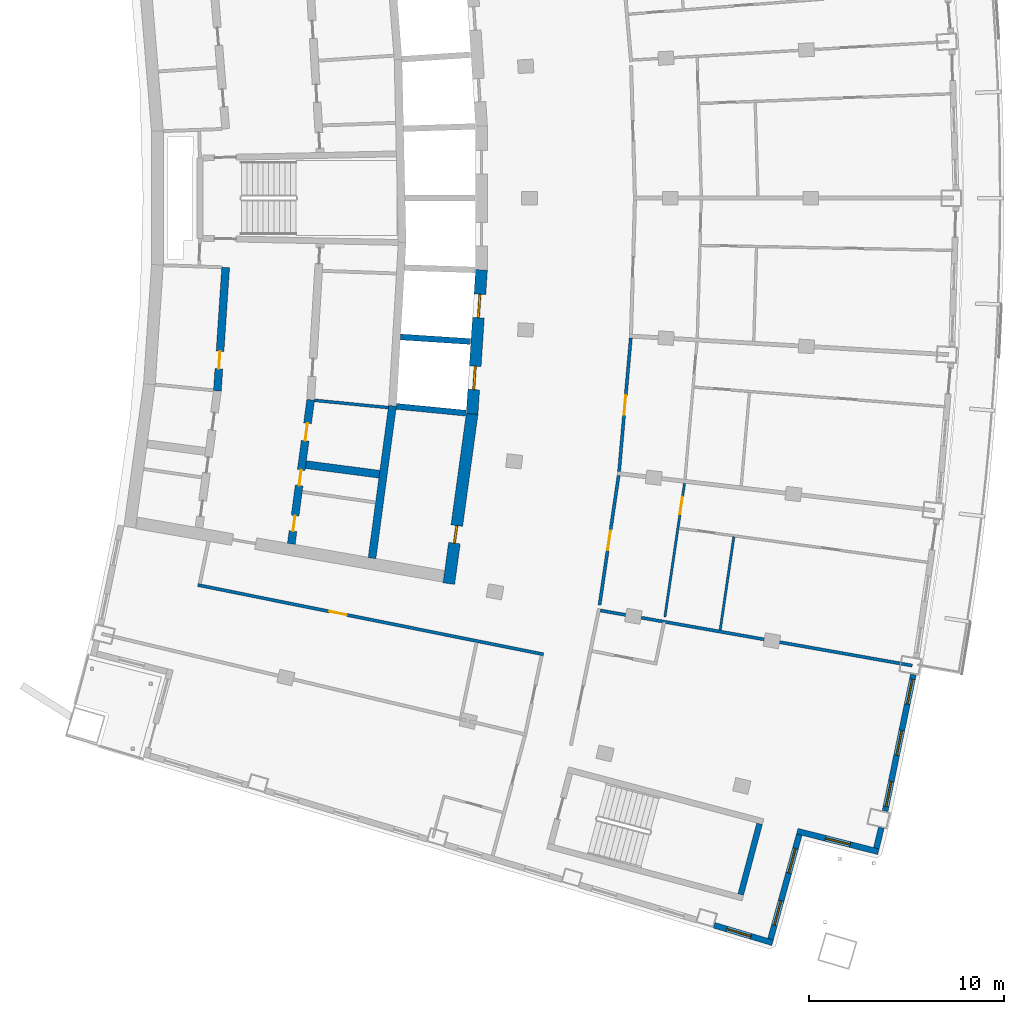
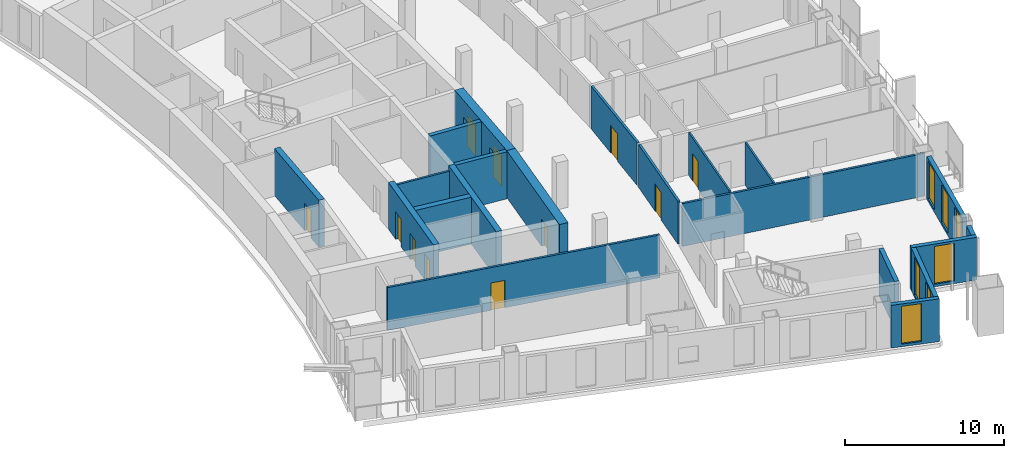
# One storey, part 10 of 18: 21 walls, 11 doors, 7 windows, 18 openings.
"""IFC4 building model written with IfcOpenShell, lengths in metres."""

from ifc_helpers import new_model, si_unit, direction, frame, frame_2d, origin, place, context, subcontext, project, spatial, rectangle, extrude, material, layer, layer_set, type_object, element, fill, save


model = new_model("IFC4")

# Units and contexts
model_context = context("Model", 3, precision=1e-05, world=origin(), true_north=direction((0.0, 1.0)))
body_context = subcontext(model_context, "Body", "Model", "MODEL_VIEW")
ifc_project = project(units=[si_unit("LENGTHUNIT", "METRE"), si_unit("AREAUNIT", "SQUARE_METRE"), si_unit("VOLUMEUNIT", "CUBIC_METRE"), si_unit("PLANEANGLEUNIT", "RADIAN"), si_unit("MASSUNIT", "GRAM", prefix="KILO")], contexts=[model_context])

# Site, building, storey
site_placement = place(None, origin())
site = spatial("IfcSite", under=ifc_project, at=site_placement, CompositionType="ELEMENT")
building_placement = place(site_placement, origin())
building = spatial("IfcBuilding", under=site, at=building_placement, Name="Alderwake Tower", CompositionType="ELEMENT")
storey_placement = place(building_placement, frame((0.0, 0.0, 225.199951171875)))
storey = spatial("IfcBuildingStorey", under=building, at=storey_placement, Name="L56", CompositionType="ELEMENT", Elevation=225.199951171875)

# Wall
ifc_material_1 = material(Name="Gypsum shaft wall system, rated")
ifc_layer_1 = layer(ifc_material_1, 0.14990234375)
ifc_layer_set_1 = layer_set([ifc_layer_1], Name="Core room partition 150")
wall_type_1 = type_object("IfcWallType", Name="Core room partition 150", PredefinedType="PARTITIONING", material=ifc_layer_set_1)
wall_1_placement = place(storey_placement, frame((24.789794921875, 50.64501953125, 0.0), z_axis=(0.0, 0.0, 1.0), x_axis=(0.995153039802, -0.098338331148, 0.0)))
element("IfcWall", 1, at=wall_1_placement, inside=storey, type_object=wall_type_1, Name="CW/L56/PR-103_+86", PredefinedType="PARTITIONING", context=body_context, shape_type="SweptSolid", body=[
    extrude(rectangle(XDim=3.7958984375, YDim=0.14990234375, at=frame_2d((1.89794921875, 0.0))), origin(), (0.0, 0.0, 1.0), 3.280029296875),
])

# Wall, opening, door
ifc_material_2 = material(Name="Concrete C70/85", Category="concrete")
ifc_layer_2 = layer(ifc_material_2, 0.60009765625)
ifc_layer_set_2 = layer_set([ifc_layer_2], Name="Core wall outer 600 C70-85")
wall_type_2 = type_object("IfcWallType", Name="Core wall outer 600 C70-85", PredefinedType="SHEAR", material=ifc_layer_set_2)
wall_2_placement = place(storey_placement, frame((32.862548828125, 49.967529296875, 0.0), z_axis=(0.0, 0.0, 1.0), x_axis=(-0.135856583698, -0.990728514108, 0.0)))
wall_2 = element("IfcWall", 2, at=wall_2_placement, inside=storey, type_object=wall_type_2, Name="Core wall CW.017", PredefinedType="SHEAR", context=body_context, shape_type="SweptSolid", body=[
    extrude(rectangle(XDim=8.79296875, YDim=0.60009765625, at=frame_2d((4.396484375, 0.0))), origin(), (0.0, 0.0, 1.0), 3.60009765625),
])
opening_1_placement = place(wall_2_placement, frame((5.79541015625, 0.0, 0.0)))
opening_1 = element("IfcOpeningElement", 3, at=opening_1_placement, cuts=wall_2, Name="Opening C060", PredefinedType="OPENING", context=body_context, shape_type="SweptSolid", body=[
    extrude(rectangle(XDim=0.89990234375, YDim=2.10009765625, at=frame_2d((0.449951171875, 1.050048828125))), frame((0.0, 0.31005859375, 0.0), z_axis=(0.0, -1.0, 0.0), x_axis=(1.0, 0.0, 0.0)), (0.0, 0.0, 1.0), 0.6201171875),
])
ifc_material_3 = material(Name="Painted steel leaf", Category="steel")
door_type_1 = type_object("IfcDoorType", Name="Core room door 900", OperationType="SINGLE_SWING_LEFT", PredefinedType="DOOR", material=ifc_material_3)
door_1_placement = place(opening_1_placement, origin())
door_1 = element("IfcDoor", 4, at=door_1_placement, inside=storey, type_object=door_type_1, Name="Room door", OperationType="SINGLE_SWING_RIGHT", OverallHeight=2.10009765625, OverallWidth=0.89990234375, PredefinedType="DOOR", context=body_context, shape_type="SweptSolid", body=[
    extrude(rectangle(XDim=0.89990234375, YDim=2.10009765625, at=frame_2d((0.449951171875, 1.050048828125))), frame((0.0, 0.050048828125, 0.0), z_axis=(0.0, -1.0, 0.0), x_axis=(1.0, 0.0, 0.0)), (0.0, 0.0, 1.0), 0.10009765625),
])
fill(opening_1, door_1)

# Wall, openings, doors
wall_3_placement = place(storey_placement, frame((32.860107421875, 49.9453125, 0.0), z_axis=(0.0, 0.0, 1.0), x_axis=(0.065013379938, 0.997884392317, 0.0)))
wall_3 = element("IfcWall", 5, at=wall_3_placement, inside=storey, type_object=wall_type_2, Name="Core wall CW.016", PredefinedType="SHEAR", context=body_context, shape_type="SweptSolid", body=[
    extrude(rectangle(XDim=7.39404296875, YDim=0.60009765625, at=frame_2d((3.697021484375, 0.0))), origin(), (0.0, 0.0, 1.0), 3.60009765625),
])
opening_2_placement = place(wall_3_placement, frame((1.254150390625, 0.0, 0.0)))
opening_2 = element("IfcOpeningElement", 6, at=opening_2_placement, cuts=wall_3, Name="Opening LD-HP1", PredefinedType="OPENING", context=body_context, shape_type="SweptSolid", body=[
    extrude(rectangle(XDim=1.199951171875, YDim=2.300048828125, at=frame_2d((0.60009765625, 1.14990234375))), frame((0.0, 0.31005859375, 0.0), z_axis=(0.0, -1.0, 0.0), x_axis=(1.0, 0.0, 0.0)), (0.0, 0.0, 1.0), 0.6201171875),
])
opening_3_placement = place(wall_3_placement, frame((4.941162109375, 0.0, 0.0)))
opening_3 = element("IfcOpeningElement", 7, at=opening_3_placement, cuts=wall_3, Name="Opening LD-HP2", PredefinedType="OPENING", context=body_context, shape_type="SweptSolid", body=[
    extrude(rectangle(XDim=1.199951171875, YDim=2.300048828125, at=frame_2d((0.60009765625, 1.14990234375))), frame((0.0, 0.31005859375, 0.0), z_axis=(0.0, -1.0, 0.0), x_axis=(1.0, 0.0, 0.0)), (0.0, 0.0, 1.0), 0.6201171875),
])
ifc_material_4 = material(Name="Stainless steel sliding leaf", Category="steel")
door_type_2 = type_object("IfcDoorType", Name="Lift landing door 1200", OperationType="SLIDING_TO_LEFT", PredefinedType="DOOR", material=ifc_material_4)
door_2_placement = place(opening_2_placement, origin())
door_2 = element("IfcDoor", 8, at=door_2_placement, inside=storey, type_object=door_type_2, Name="Lift landing door HP1", OperationType="SLIDING_TO_LEFT", OverallHeight=2.300048828125, OverallWidth=1.199951171875, PredefinedType="DOOR", context=body_context, shape_type="SweptSolid", body=[
    extrude(rectangle(XDim=1.199951171875, YDim=2.300048828125, at=frame_2d((0.60009765625, 1.14990234375))), frame((0.0, 0.050048828125, 0.0), z_axis=(0.0, -1.0, 0.0), x_axis=(1.0, 0.0, 0.0)), (0.0, 0.0, 1.0), 0.10009765625),
])
fill(opening_2, door_2)
door_3_placement = place(opening_3_placement, origin())
door_3 = element("IfcDoor", 9, at=door_3_placement, inside=storey, type_object=door_type_2, Name="Lift landing door HP2", OperationType="SLIDING_TO_LEFT", OverallHeight=2.300048828125, OverallWidth=1.199951171875, PredefinedType="DOOR", context=body_context, shape_type="SweptSolid", body=[
    extrude(rectangle(XDim=1.199951171875, YDim=2.300048828125, at=frame_2d((0.60009765625, 1.14990234375))), frame((0.0, 0.050048828125, 0.0), z_axis=(0.0, -1.0, 0.0), x_axis=(1.0, 0.0, 0.0)), (0.0, 0.0, 1.0), 0.10009765625),
])
fill(opening_3, door_3)

# Walls
ifc_material_5 = material(Name="Concrete C70/85", Category="concrete")
ifc_layer_3 = layer(ifc_material_5, 0.300048828125)
ifc_layer_set_3 = layer_set([ifc_layer_3], Name="Core wall shaft 300 C70-85")
wall_type_3 = type_object("IfcWallType", Name="Core wall shaft 300 C70-85", PredefinedType="SHEAR", material=ifc_layer_set_3)
wall_4_placement = place(storey_placement, frame((28.9794921875, 50.336181640625, 0.0), z_axis=(0.0, 0.0, 1.0), x_axis=(0.995246218868, -0.097390778977, 0.0)))
element("IfcWall", 10, at=wall_4_placement, inside=storey, type_object=wall_type_3, Name="Core wall CW.064", PredefinedType="SHEAR", context=body_context, shape_type="SweptSolid", body=[
    extrude(rectangle(XDim=3.56982421875, YDim=0.300048828125, at=frame_2d((1.784912109375, 0.0))), origin(), (0.0, 0.0, 1.0), 3.60009765625),
])
wall_5_placement = place(storey_placement, frame((29.190185546875, 53.8896484375, 0.0), z_axis=(0.0, 0.0, 1.0), x_axis=(0.997887207314, -0.064970158371, 0.0)))
element("IfcWall", 11, at=wall_5_placement, inside=storey, type_object=wall_type_3, Name="Core wall CW.078", PredefinedType="SHEAR", context=body_context, shape_type="SweptSolid", body=[
    extrude(rectangle(XDim=3.588623046875, YDim=0.300048828125, at=frame_2d((1.79443359375, 0.0))), origin(), (0.0, 0.0, 1.0), 3.60009765625),
])

# Wall, opening, door
ifc_material_6 = material(Name="Concrete C70/85", Category="concrete")
ifc_layer_4 = layer(ifc_material_6, 0.39990234375)
ifc_layer_set_4 = layer_set([ifc_layer_4], Name="Core wall spine 400 C70-85")
wall_type_4 = type_object("IfcWallType", Name="Core wall spine 400 C70-85", PredefinedType="SHEAR", material=ifc_layer_set_4)
wall_6_placement = place(storey_placement, frame((20.2373046875, 57.451904296875, 0.0), z_axis=(0.0, 0.0, 1.0), x_axis=(-0.066884681503, -0.997760712486, 0.0)))
wall_6 = element("IfcWall", 12, at=wall_6_placement, inside=storey, type_object=wall_type_4, Name="Core wall CW.032", PredefinedType="SHEAR", context=body_context, shape_type="SweptSolid", body=[
    extrude(rectangle(XDim=6.336669921875, YDim=0.39990234375, at=frame_2d((3.16845703125, 0.0))), origin(), (0.0, 0.0, 1.0), 3.60009765625),
])
opening_4_placement = place(wall_6_placement, frame((4.297119140625, 0.0, 0.0)))
opening_4 = element("IfcOpeningElement", 13, at=opening_4_placement, cuts=wall_6, Name="Opening C040", PredefinedType="OPENING", context=body_context, shape_type="SweptSolid", body=[
    extrude(rectangle(XDim=0.89990234375, YDim=2.10009765625, at=frame_2d((0.449951171875, 1.050048828125))), frame((0.0, 0.2099609375, 0.0), z_axis=(0.0, -1.0, 0.0), x_axis=(1.0, 0.0, 0.0)), (0.0, 0.0, 1.0), 0.419921875),
])
door_4_placement = place(opening_4_placement, origin())
door_4 = element("IfcDoor", 14, at=door_4_placement, inside=storey, type_object=door_type_1, Name="Room door", OperationType="SINGLE_SWING_RIGHT", OverallHeight=2.10009765625, OverallWidth=0.89990234375, PredefinedType="DOOR", context=body_context, shape_type="SweptSolid", body=[
    extrude(rectangle(XDim=0.89990234375, YDim=2.10009765625, at=frame_2d((0.449951171875, 1.050048828125))), frame((0.0, 0.02490234375, 0.0), z_axis=(0.0, -1.0, 0.0), x_axis=(1.0, 0.0, 0.0)), (0.0, 0.0, 1.0), 0.050048828125),
])
fill(opening_4, door_4)

# Wall, openings, doors
wall_7_placement = place(storey_placement, frame((23.597412109375, 43.29248046875, 0.0), z_axis=(0.0, 0.0, 1.0), x_axis=(0.133499326361, 0.99104890387, 0.0)))
wall_7 = element("IfcWall", 15, at=wall_7_placement, inside=storey, type_object=wall_type_4, Name="Core wall CW.047", PredefinedType="SHEAR", context=body_context, shape_type="SweptSolid", body=[
    extrude(rectangle(XDim=7.44677734375, YDim=0.39990234375, at=frame_2d((3.723388671875, 0.0))), origin(), (0.0, 0.0, 1.0), 3.60009765625),
])
opening_5_placement = place(wall_7_placement, frame((0.65771484375, 0.0, 0.0)))
opening_5 = element("IfcOpeningElement", 16, at=opening_5_placement, cuts=wall_7, Name="Opening C015", PredefinedType="OPENING", context=body_context, shape_type="SweptSolid", body=[
    extrude(rectangle(XDim=0.800048828125, YDim=2.0, at=frame_2d((0.39990234375, 1.0))), frame((0.0, 0.2099609375, 0.0), z_axis=(0.0, -1.0, 0.0), x_axis=(1.0, 0.0, 0.0)), (0.0, 0.0, 1.0), 0.419921875),
])
opening_6_placement = place(wall_7_placement, frame((3.019287109375, 0.0, 0.0)))
opening_6 = element("IfcOpeningElement", 17, at=opening_6_placement, cuts=wall_7, Name="Opening C019", PredefinedType="OPENING", context=body_context, shape_type="SweptSolid", body=[
    extrude(rectangle(XDim=0.800048828125, YDim=2.0, at=frame_2d((0.39990234375, 1.0))), frame((0.0, 0.2099609375, 0.0), z_axis=(0.0, -1.0, 0.0), x_axis=(1.0, 0.0, 0.0)), (0.0, 0.0, 1.0), 0.419921875),
])
opening_7_placement = place(wall_7_placement, frame((5.331298828125, 0.0, 0.0)))
opening_7 = element("IfcOpeningElement", 18, at=opening_7_placement, cuts=wall_7, Name="Opening C045", PredefinedType="OPENING", context=body_context, shape_type="SweptSolid", body=[
    extrude(rectangle(XDim=0.89990234375, YDim=2.10009765625, at=frame_2d((0.449951171875, 1.050048828125))), frame((0.0, 0.2099609375, 0.0), z_axis=(0.0, -1.0, 0.0), x_axis=(1.0, 0.0, 0.0)), (0.0, 0.0, 1.0), 0.419921875),
])
door_5_placement = place(opening_7_placement, origin())
door_5 = element("IfcDoor", 19, at=door_5_placement, inside=storey, type_object=door_type_1, Name="Room door", OperationType="SINGLE_SWING_LEFT", OverallHeight=2.10009765625, OverallWidth=0.89990234375, PredefinedType="DOOR", context=body_context, shape_type="SweptSolid", body=[
    extrude(rectangle(XDim=0.89990234375, YDim=2.10009765625, at=frame_2d((0.449951171875, 1.050048828125))), frame((0.0, 0.02490234375, 0.0), z_axis=(0.0, -1.0, 0.0), x_axis=(1.0, 0.0, 0.0)), (0.0, 0.0, 1.0), 0.050048828125),
])
fill(opening_7, door_5)
ifc_material_7 = material(Name="Painted steel leaf, rated", Category="steel")
door_type_3 = type_object("IfcDoorType", Name="Riser access door 800", OperationType="SINGLE_SWING_LEFT", PredefinedType="DOOR", material=ifc_material_7)
door_6_placement = place(opening_5_placement, origin())
door_6 = element("IfcDoor", 20, at=door_6_placement, inside=storey, type_object=door_type_3, Name="Riser access door", OperationType="SINGLE_SWING_LEFT", OverallHeight=2.0, OverallWidth=0.800048828125, PredefinedType="DOOR", context=body_context, shape_type="SweptSolid", body=[
    extrude(rectangle(XDim=0.800048828125, YDim=2.0, at=frame_2d((0.39990234375, 1.0))), frame((0.0, 0.02490234375, 0.0), z_axis=(0.0, -1.0, 0.0), x_axis=(1.0, 0.0, 0.0)), (0.0, 0.0, 1.0), 0.050048828125),
])
fill(opening_5, door_6)
door_7_placement = place(opening_6_placement, origin())
door_7 = element("IfcDoor", 21, at=door_7_placement, inside=storey, type_object=door_type_3, Name="Riser access door", OperationType="SINGLE_SWING_RIGHT", OverallHeight=2.0, OverallWidth=0.800048828125, PredefinedType="DOOR", context=body_context, shape_type="SweptSolid", body=[
    extrude(rectangle(XDim=0.800048828125, YDim=2.0, at=frame_2d((0.39990234375, 1.0))), frame((0.0, 0.02490234375, 0.0), z_axis=(0.0, -1.0, 0.0), x_axis=(1.0, 0.0, 0.0)), (0.0, 0.0, 1.0), 0.050048828125),
])
fill(opening_6, door_7)

# Walls
wall_8_placement = place(storey_placement, frame((27.7333984375, 42.56103515625, 0.0), z_axis=(0.0, 0.0, 1.0), x_axis=(0.133132598714, 0.991098234869, 0.0)))
element("IfcWall", 22, at=wall_8_placement, inside=storey, type_object=wall_type_4, Name="Core wall CW.006", PredefinedType="SHEAR", context=body_context, shape_type="SweptSolid", body=[
    extrude(rectangle(XDim=7.87255859375, YDim=0.39990234375, at=frame_2d((3.936279296875, 0.0))), origin(), (0.0, 0.0, 1.0), 3.60009765625),
])
wall_9_placement = place(storey_placement, frame((24.34619140625, 47.352294921875, 0.0), z_axis=(0.0, 0.0, 1.0), x_axis=(0.991554071493, -0.129693960172, 0.0)))
element("IfcWall", 23, at=wall_9_placement, inside=storey, type_object=wall_type_4, Name="Core wall CW.069", PredefinedType="SHEAR", context=body_context, shape_type="SweptSolid", body=[
    extrude(rectangle(XDim=3.794921875, YDim=0.39990234375, at=frame_2d((1.8974609375, 0.0))), origin(), (0.0, 0.0, 1.0), 3.60009765625),
])
ifc_material_8 = material(Name="Concrete C70/85", Category="concrete")
ifc_layer_5 = layer(ifc_material_8, 0.300048828125)
ifc_layer_set_5 = layer_set([ifc_layer_5], Name="Core wall stair enclosure 300 C70-85")
wall_type_5 = type_object("IfcWallType", Name="Core wall stair enclosure 300 C70-85", PredefinedType="SHEAR", material=ifc_layer_set_5)
wall_10_placement = place(storey_placement, frame((46.6162109375, 25.334716796875, 0.0), z_axis=(0.0, 0.0, 1.0), x_axis=(0.257366821694, 0.966313778796, 0.0)))
element("IfcWall", 24, at=wall_10_placement, inside=storey, type_object=wall_type_5, Name="Core wall CW.085", PredefinedType="SHEAR", context=body_context, shape_type="SweptSolid", body=[
    extrude(rectangle(XDim=3.749755859375, YDim=0.300048828125, at=frame_2d((1.875, 0.0))), origin(), (0.0, 0.0, 1.0), 3.60009765625),
])

# Wall, opening, door
ifc_material_9 = material(Name="Gypsum board on metal studs, rated")
ifc_layer_6 = layer(ifc_material_9, 0.159912109375)
ifc_layer_set_6 = layer_set([ifc_layer_6], Name="Corridor wall 160")
wall_type_6 = type_object("IfcWallType", Name="Corridor wall 160", PredefinedType="PARTITIONING", material=ifc_layer_set_6)
wall_11_placement = place(storey_placement, frame((36.513427734375, 37.63427734375, 0.0), z_axis=(0.0, 0.0, 1.0), x_axis=(-0.980470254867, 0.1966674333, 0.0)))
wall_11 = element("IfcWall", 25, at=wall_11_placement, inside=storey, type_object=wall_type_6, Name="WL/L56/W12", PredefinedType="PARTITIONING", context=body_context, shape_type="SweptSolid", body=[
    extrude(rectangle(XDim=18.053466796875, YDim=0.159912109375, at=frame_2d((9.02685546875, 0.0))), origin(), (0.0, 0.0, 1.0), 3.280029296875),
])
opening_8_placement = place(wall_11_placement, frame((10.277099609375, 0.0, 0.0)))
opening_8 = element("IfcOpeningElement", 26, at=opening_8_placement, cuts=wall_11, Name="Opening R16-SBS1", PredefinedType="OPENING", context=body_context, shape_type="SweptSolid", body=[
    extrude(rectangle(XDim=0.89990234375, YDim=2.10009765625, at=frame_2d((0.449951171875, 1.050048828125))), frame((0.0, 0.08984375, 0.0), z_axis=(0.0, -1.0, 0.0), x_axis=(1.0, 0.0, 0.0)), (0.0, 0.0, 1.0), 0.179931640625),
])
ifc_material_10 = material(Name="Painted timber leaf", Category="wood")
door_type_4 = type_object("IfcDoorType", Name="Room door 900", OperationType="SINGLE_SWING_LEFT", PredefinedType="DOOR", material=ifc_material_10)
door_8_placement = place(opening_8_placement, origin())
door_8 = element("IfcDoor", 27, at=door_8_placement, inside=storey, type_object=door_type_4, Name="DR/L56/SBS1", OperationType="SINGLE_SWING_LEFT", OverallHeight=2.10009765625, OverallWidth=0.89990234375, PredefinedType="DOOR", context=body_context, shape_type="SweptSolid", body=[
    extrude(rectangle(XDim=0.89990234375, YDim=2.10009765625, at=frame_2d((0.449951171875, 1.050048828125))), frame((0.0, 0.02490234375, 0.0), z_axis=(0.0, -1.0, 0.0), x_axis=(1.0, 0.0, 0.0)), (0.0, 0.0, 1.0), 0.050048828125),
])
fill(opening_8, door_8)

wall_12_placement = place(storey_placement, frame((40.3623046875, 46.7939453125, 0.0), z_axis=(0.0, 0.0, 1.0), x_axis=(-0.145513909196, -0.989356205939, 0.0)))
wall_12 = element("IfcWall", 28, at=wall_12_placement, inside=storey, type_object=wall_type_6, Name="WL/L56/W23", PredefinedType="PARTITIONING", context=body_context, shape_type="SweptSolid", body=[
    extrude(rectangle(XDim=6.704345703125, YDim=0.159912109375, at=frame_2d((3.35205078125, 0.0))), origin(), (0.0, 0.0, 1.0), 3.280029296875),
])
opening_9_placement = place(wall_12_placement, frame((2.852294921875, 0.0, 0.0)))
opening_9 = element("IfcOpeningElement", 29, at=opening_9_placement, cuts=wall_12, Name="Opening R16-U03.1", PredefinedType="OPENING", context=body_context, shape_type="SweptSolid", body=[
    extrude(rectangle(XDim=1.0, YDim=2.10009765625, at=frame_2d((0.5, 1.050048828125))), frame((0.0, 0.08984375, 0.0), z_axis=(0.0, -1.0, 0.0), x_axis=(1.0, 0.0, 0.0)), (0.0, 0.0, 1.0), 0.179931640625),
])
ifc_material_11 = material(Name="Solid timber leaf in steel frame", Category="steel")
door_type_5 = type_object("IfcDoorType", Name="Flat entrance door 1000 fire-rated", OperationType="SINGLE_SWING_LEFT", PredefinedType="DOOR", material=ifc_material_11)
door_9_placement = place(opening_9_placement, origin())
door_9 = element("IfcDoor", 30, at=door_9_placement, inside=storey, type_object=door_type_5, Name="DR/L56/U03.1", OperationType="SINGLE_SWING_LEFT", OverallHeight=2.10009765625, OverallWidth=1.0, PredefinedType="DOOR", context=body_context, shape_type="SweptSolid", body=[
    extrude(rectangle(XDim=1.0, YDim=2.10009765625, at=frame_2d((0.5, 1.050048828125))), frame((0.0, 0.02490234375, 0.0), z_axis=(0.0, -1.0, 0.0), x_axis=(1.0, 0.0, 0.0)), (0.0, 0.0, 1.0), 0.050048828125),
])
fill(opening_9, door_9)

wall_13_placement = place(storey_placement, frame((40.986328125, 53.834228515625, 0.0), z_axis=(0.0, 0.0, 1.0), x_axis=(-0.087448731147, -0.996169021512, 0.0)))
wall_13 = element("IfcWall", 31, at=wall_13_placement, inside=storey, type_object=wall_type_6, Name="WL/L56/W25", PredefinedType="PARTITIONING", context=body_context, shape_type="SweptSolid", body=[
    extrude(rectangle(XDim=6.867919921875, YDim=0.159912109375, at=frame_2d((3.43408203125, 0.0))), origin(), (0.0, 0.0, 1.0), 3.280029296875),
])
opening_10_placement = place(wall_13_placement, frame((2.93408203125, 0.0, 0.0)))
opening_10 = element("IfcOpeningElement", 32, at=opening_10_placement, cuts=wall_13, Name="Opening R16-U04.1", PredefinedType="OPENING", context=body_context, shape_type="SweptSolid", body=[
    extrude(rectangle(XDim=1.0, YDim=2.10009765625, at=frame_2d((0.5, 1.050048828125))), frame((0.0, 0.08984375, 0.0), z_axis=(0.0, -1.0, 0.0), x_axis=(1.0, 0.0, 0.0)), (0.0, 0.0, 1.0), 0.179931640625),
])
door_10_placement = place(opening_10_placement, origin())
door_10 = element("IfcDoor", 33, at=door_10_placement, inside=storey, type_object=door_type_5, Name="DR/L56/U04.1", OperationType="SINGLE_SWING_LEFT", OverallHeight=2.10009765625, OverallWidth=1.0, PredefinedType="DOOR", context=body_context, shape_type="SweptSolid", body=[
    extrude(rectangle(XDim=1.0, YDim=2.10009765625, at=frame_2d((0.5, 1.050048828125))), frame((0.0, 0.02490234375, 0.0), z_axis=(0.0, -1.0, 0.0), x_axis=(1.0, 0.0, 0.0)), (0.0, 0.0, 1.0), 0.050048828125),
])
fill(opening_10, door_10)

# Walls
wall_14_placement = place(storey_placement, frame((55.40087890625, 37.05908203125, 0.0), z_axis=(0.0, 0.0, 1.0), x_axis=(-0.984730635728, 0.174084965054, 0.0)))
element("IfcWall", 34, at=wall_14_placement, inside=storey, type_object=wall_type_6, Name="WL/L56/W30", PredefinedType="PARTITIONING", context=body_context, shape_type="SweptSolid", body=[
    extrude(rectangle(XDim=16.221923828125, YDim=0.159912109375, at=frame_2d((8.11083984375, 0.0))), origin(), (0.0, 0.0, 1.0), 3.280029296875),
])
ifc_material_12 = material(Name="Precast concrete C50/60 spandrel panel", Category="concrete")
ifc_layer_7 = layer(ifc_material_12, 0.300048828125)
ifc_layer_set_7 = layer_set([ifc_layer_7], Name="External wall EW1 Precast concrete C50/60 spandrel")
wall_type_7 = type_object("IfcWallType", Name="External wall EW1 Precast concrete C50/60 spandrel", PredefinedType="SOLIDWALL", material=ifc_layer_set_7)
wall_15_placement = place(storey_placement, frame((53.560546875, 27.70849609375, 0.0), z_axis=(0.0, 0.0, 1.0), x_axis=(0.238370874344, 0.971174199752, 0.0)))
element("IfcWall", 35, at=wall_15_placement, inside=storey, type_object=wall_type_7, Name="External wall 11", PredefinedType="SOLIDWALL", context=body_context, shape_type="SweptSolid", body=[
    extrude(rectangle(XDim=1.076416015625, YDim=0.300048828125, at=frame_2d((0.5380859375, 0.0))), origin(), (0.0, 0.0, 1.0), 3.280029296875),
])

# Wall, openings, windows
wall_16_placement = place(storey_placement, frame((54.010498046875, 29.6103515625, 0.0), z_axis=(0.0, 0.0, 1.0), x_axis=(0.202739139566, 0.979232781972, 0.0)))
wall_16 = element("IfcWall", 36, at=wall_16_placement, inside=storey, type_object=wall_type_7, Name="External wall 12", PredefinedType="SOLIDWALL", context=body_context, shape_type="SweptSolid", body=[
    extrude(rectangle(XDim=7.1337890625, YDim=0.300048828125, at=frame_2d((3.56689453125, 0.0))), origin(), (0.0, 0.0, 1.0), 3.280029296875),
])
opening_11_placement = place(wall_16_placement, frame((0.24560546875, 0.0, 0.199951171875)))
opening_11 = element("IfcOpeningElement", 37, at=opening_11_placement, cuts=wall_16, Name="Opening W1", PredefinedType="OPENING", context=body_context, shape_type="SweptSolid", body=[
    extrude(rectangle(XDim=1.300048828125, YDim=2.89990234375, at=frame_2d((0.64990234375, 1.449951171875))), frame((0.0, 0.159912109375, 0.0), z_axis=(0.0, -1.0, 0.0), x_axis=(1.0, 0.0, 0.0)), (0.0, 0.0, 1.0), 0.320068359375),
])
opening_12_placement = place(wall_16_placement, frame((2.916748046875, 0.0, 0.199951171875)))
opening_12 = element("IfcOpeningElement", 38, at=opening_12_placement, cuts=wall_16, Name="Opening W1", PredefinedType="OPENING", context=body_context, shape_type="SweptSolid", body=[
    extrude(rectangle(XDim=1.300048828125, YDim=2.89990234375, at=frame_2d((0.64990234375, 1.449951171875))), frame((0.0, 0.159912109375, 0.0), z_axis=(0.0, -1.0, 0.0), x_axis=(1.0, 0.0, 0.0)), (0.0, 0.0, 1.0), 0.320068359375),
])
opening_13_placement = place(wall_16_placement, frame((5.588134765625, 0.0, 0.199951171875)))
opening_13 = element("IfcOpeningElement", 39, at=opening_13_placement, cuts=wall_16, Name="Opening W1", PredefinedType="OPENING", context=body_context, shape_type="SweptSolid", body=[
    extrude(rectangle(XDim=1.300048828125, YDim=2.89990234375, at=frame_2d((0.64990234375, 1.449951171875))), frame((0.0, 0.159912109375, 0.0), z_axis=(0.0, -1.0, 0.0), x_axis=(1.0, 0.0, 0.0)), (0.0, 0.0, 1.0), 0.320068359375),
])
ifc_material_13 = material(Name="Bronze tinted glass in aluminium frame", Category="aluminium")
window_type = type_object("IfcWindowType", Name="Window W1 tall fixed and vent", PartitioningType="DOUBLE_PANEL_VERTICAL", PredefinedType="WINDOW", material=ifc_material_13)
window_1_placement = place(opening_11_placement, origin())
window_1 = element("IfcWindow", 40, at=window_1_placement, inside=storey, type_object=window_type, Name="Window W1 tall fixed and vent", OverallHeight=2.89990234375, OverallWidth=1.300048828125, PartitioningType="DOUBLE_PANEL_VERTICAL", PredefinedType="WINDOW", context=body_context, shape_type="SweptSolid", body=[
    extrude(rectangle(XDim=1.300048828125, YDim=2.89990234375, at=frame_2d((0.64990234375, 1.449951171875))), frame((0.0, 0.030029296875, 0.0), z_axis=(0.0, -1.0, 0.0), x_axis=(1.0, 0.0, 0.0)), (0.0, 0.0, 1.0), 0.06005859375),
])
fill(opening_11, window_1)
window_2_placement = place(opening_12_placement, origin())
window_2 = element("IfcWindow", 41, at=window_2_placement, inside=storey, type_object=window_type, Name="Window W1 tall fixed and vent", OverallHeight=2.89990234375, OverallWidth=1.300048828125, PartitioningType="DOUBLE_PANEL_VERTICAL", PredefinedType="WINDOW", context=body_context, shape_type="SweptSolid", body=[
    extrude(rectangle(XDim=1.300048828125, YDim=2.89990234375, at=frame_2d((0.64990234375, 1.449951171875))), frame((0.0, 0.030029296875, 0.0), z_axis=(0.0, -1.0, 0.0), x_axis=(1.0, 0.0, 0.0)), (0.0, 0.0, 1.0), 0.06005859375),
])
fill(opening_12, window_2)
window_3_placement = place(opening_13_placement, origin())
window_3 = element("IfcWindow", 42, at=window_3_placement, inside=storey, type_object=window_type, Name="Window W1 tall fixed and vent", OverallHeight=2.89990234375, OverallWidth=1.300048828125, PartitioningType="DOUBLE_PANEL_VERTICAL", PredefinedType="WINDOW", context=body_context, shape_type="SweptSolid", body=[
    extrude(rectangle(XDim=1.300048828125, YDim=2.89990234375, at=frame_2d((0.64990234375, 1.449951171875))), frame((0.0, 0.030029296875, 0.0), z_axis=(0.0, -1.0, 0.0), x_axis=(1.0, 0.0, 0.0)), (0.0, 0.0, 1.0), 0.06005859375),
])
fill(opening_13, window_3)

# Wall, opening, window
ifc_material_14 = material(Name="Bronze metal cladding on lightweight framing")
ifc_layer_8 = layer(ifc_material_14, 0.300048828125)
ifc_layer_set_8 = layer_set([ifc_layer_8], Name="External wall EW2 bronze metal cladding")
wall_type_8 = type_object("IfcWallType", Name="External wall EW2 bronze metal cladding", PredefinedType="SOLIDWALL", material=ifc_layer_set_8)
wall_17_placement = place(storey_placement, frame((45.257080078125, 23.759765625, 0.0), z_axis=(0.0, 0.0, 1.0), x_axis=(0.957772449087, -0.287527278305, 0.0)))
wall_17 = element("IfcWall", 43, at=wall_17_placement, inside=storey, type_object=wall_type_8, Name="External wall 8", PredefinedType="SOLIDWALL", context=body_context, shape_type="SweptSolid", body=[
    extrude(rectangle(XDim=3.121337890625, YDim=0.300048828125, at=frame_2d((1.560546875, 0.0))), origin(), (0.0, 0.0, 1.0), 3.280029296875),
])
opening_14_placement = place(wall_17_placement, frame((0.67236328125, 0.0, 0.199951171875)))
opening_14 = element("IfcOpeningElement", 44, at=opening_14_placement, cuts=wall_17, Name="Opening W1", PredefinedType="OPENING", context=body_context, shape_type="SweptSolid", body=[
    extrude(rectangle(XDim=1.300048828125, YDim=2.89990234375, at=frame_2d((0.64990234375, 1.449951171875))), frame((0.0, 0.159912109375, 0.0), z_axis=(0.0, -1.0, 0.0), x_axis=(1.0, 0.0, 0.0)), (0.0, 0.0, 1.0), 0.320068359375),
])
window_4_placement = place(opening_14_placement, origin())
window_4 = element("IfcWindow", 45, at=window_4_placement, inside=storey, type_object=window_type, Name="Window W1 tall fixed and vent", OverallHeight=2.89990234375, OverallWidth=1.300048828125, PartitioningType="DOUBLE_PANEL_VERTICAL", PredefinedType="WINDOW", context=body_context, shape_type="SweptSolid", body=[
    extrude(rectangle(XDim=1.300048828125, YDim=2.89990234375, at=frame_2d((0.64990234375, 1.449951171875))), frame((0.0, 0.030029296875, 0.0), z_axis=(0.0, -1.0, 0.0), x_axis=(1.0, 0.0, 0.0)), (0.0, 0.0, 1.0), 0.06005859375),
])
fill(opening_14, window_4)

# Wall, openings, windows
wall_18_placement = place(storey_placement, frame((48.142578125, 23.0498046875, 0.0), z_axis=(0.0, 0.0, 1.0), x_axis=(0.265098171891, 0.964221426468, 0.0)))
wall_18 = element("IfcWall", 46, at=wall_18_placement, inside=storey, type_object=wall_type_8, Name="External wall 9", PredefinedType="SOLIDWALL", context=body_context, shape_type="SweptSolid", body=[
    extrude(rectangle(XDim=5.546875, YDim=0.300048828125, at=frame_2d((2.7734375, 0.0))), origin(), (0.0, 0.0, 1.0), 3.280029296875),
])
opening_15_placement = place(wall_18_placement, frame((0.73681640625, 0.0, 0.199951171875)))
opening_15 = element("IfcOpeningElement", 47, at=opening_15_placement, cuts=wall_18, Name="Opening W1", PredefinedType="OPENING", context=body_context, shape_type="SweptSolid", body=[
    extrude(rectangle(XDim=1.300048828125, YDim=2.89990234375, at=frame_2d((0.64990234375, 1.449951171875))), frame((0.0, 0.159912109375, 0.0), z_axis=(0.0, -1.0, 0.0), x_axis=(1.0, 0.0, 0.0)), (0.0, 0.0, 1.0), 0.320068359375),
])
opening_16_placement = place(wall_18_placement, frame((3.510009765625, 0.0, 0.199951171875)))
opening_16 = element("IfcOpeningElement", 48, at=opening_16_placement, cuts=wall_18, Name="Opening W1", PredefinedType="OPENING", context=body_context, shape_type="SweptSolid", body=[
    extrude(rectangle(XDim=1.300048828125, YDim=2.89990234375, at=frame_2d((0.64990234375, 1.449951171875))), frame((0.0, 0.159912109375, 0.0), z_axis=(0.0, -1.0, 0.0), x_axis=(1.0, 0.0, 0.0)), (0.0, 0.0, 1.0), 0.320068359375),
])
window_5_placement = place(opening_15_placement, origin())
window_5 = element("IfcWindow", 49, at=window_5_placement, inside=storey, type_object=window_type, Name="Window W1 tall fixed and vent", OverallHeight=2.89990234375, OverallWidth=1.300048828125, PartitioningType="DOUBLE_PANEL_VERTICAL", PredefinedType="WINDOW", context=body_context, shape_type="SweptSolid", body=[
    extrude(rectangle(XDim=1.300048828125, YDim=2.89990234375, at=frame_2d((0.64990234375, 1.449951171875))), frame((0.0, 0.030029296875, 0.0), z_axis=(0.0, -1.0, 0.0), x_axis=(1.0, 0.0, 0.0)), (0.0, 0.0, 1.0), 0.06005859375),
])
fill(opening_15, window_5)
window_6_placement = place(opening_16_placement, origin())
window_6 = element("IfcWindow", 50, at=window_6_placement, inside=storey, type_object=window_type, Name="Window W1 tall fixed and vent", OverallHeight=2.89990234375, OverallWidth=1.300048828125, PartitioningType="DOUBLE_PANEL_VERTICAL", PredefinedType="WINDOW", context=body_context, shape_type="SweptSolid", body=[
    extrude(rectangle(XDim=1.300048828125, YDim=2.89990234375, at=frame_2d((0.64990234375, 1.449951171875))), frame((0.0, 0.030029296875, 0.0), z_axis=(0.0, -1.0, 0.0), x_axis=(1.0, 0.0, 0.0)), (0.0, 0.0, 1.0), 0.06005859375),
])
fill(opening_16, window_6)

# Wall, opening, window
wall_19_placement = place(storey_placement, frame((49.50732421875, 28.57958984375, 0.0), z_axis=(0.0, 0.0, 1.0), x_axis=(0.969429385377, -0.245370468408, 0.0)))
wall_19 = element("IfcWall", 51, at=wall_19_placement, inside=storey, type_object=wall_type_8, Name="External wall 10", PredefinedType="SOLIDWALL", context=body_context, shape_type="SweptSolid", body=[
    extrude(rectangle(XDim=4.29443359375, YDim=0.300048828125, at=frame_2d((2.147216796875, 0.0))), origin(), (0.0, 0.0, 1.0), 3.280029296875),
])
opening_17_placement = place(wall_19_placement, frame((1.4970703125, 0.0, 0.199951171875)))
opening_17 = element("IfcOpeningElement", 52, at=opening_17_placement, cuts=wall_19, Name="Opening W1", PredefinedType="OPENING", context=body_context, shape_type="SweptSolid", body=[
    extrude(rectangle(XDim=1.300048828125, YDim=2.89990234375, at=frame_2d((0.64990234375, 1.449951171875))), frame((0.0, 0.159912109375, 0.0), z_axis=(0.0, -1.0, 0.0), x_axis=(1.0, 0.0, 0.0)), (0.0, 0.0, 1.0), 0.320068359375),
])
window_7_placement = place(opening_17_placement, origin())
window_7 = element("IfcWindow", 53, at=window_7_placement, inside=storey, type_object=window_type, Name="Window W1 tall fixed and vent", OverallHeight=2.89990234375, OverallWidth=1.300048828125, PartitioningType="DOUBLE_PANEL_VERTICAL", PredefinedType="WINDOW", context=body_context, shape_type="SweptSolid", body=[
    extrude(rectangle(XDim=1.300048828125, YDim=2.89990234375, at=frame_2d((0.64990234375, 1.449951171875))), frame((0.0, 0.030029296875, 0.0), z_axis=(0.0, -1.0, 0.0), x_axis=(1.0, 0.0, 0.0)), (0.0, 0.0, 1.0), 0.06005859375),
])
fill(opening_17, window_7)

# Wall, opening, door
ifc_material_15 = material(Name="Moisture resistant gypsum board on metal studs")
ifc_layer_9 = layer(ifc_material_15, 0.1201171875)
ifc_layer_set_9 = layer_set([ifc_layer_9], Name="Wet room partition 120")
wall_type_9 = type_object("IfcWallType", Name="Wet room partition 120", PredefinedType="PARTITIONING", material=ifc_layer_set_9)
wall_20_placement = place(storey_placement, frame((43.737548828125, 46.39794921875, 0.0), z_axis=(0.0, 0.0, 1.0), x_axis=(-0.14528876176, -0.989389294316, 0.0)))
wall_20 = element("IfcWall", 54, at=wall_20_placement, inside=storey, type_object=wall_type_9, Name="WL/L56/W39", PredefinedType="PARTITIONING", context=body_context, shape_type="SweptSolid", body=[
    extrude(rectangle(XDim=6.918212890625, YDim=0.1201171875, at=frame_2d((3.458984375, 0.0))), origin(), (0.0, 0.0, 1.0), 3.280029296875),
])
opening_18_placement = place(wall_20_placement, frame((0.71142578125, 0.0, 0.0)))
opening_18 = element("IfcOpeningElement", 55, at=opening_18_placement, cuts=wall_20, Name="Opening R16-U03.2", PredefinedType="OPENING", context=body_context, shape_type="SweptSolid", body=[
    extrude(rectangle(XDim=0.89990234375, YDim=2.10009765625, at=frame_2d((0.449951171875, 1.050048828125))), frame((0.0, 0.070068359375, 0.0), z_axis=(0.0, -1.0, 0.0), x_axis=(1.0, 0.0, 0.0)), (0.0, 0.0, 1.0), 0.14013671875),
])
door_11_placement = place(opening_18_placement, origin())
door_11 = element("IfcDoor", 56, at=door_11_placement, inside=storey, type_object=door_type_4, Name="DR/L56/U03.2", OperationType="SINGLE_SWING_LEFT", OverallHeight=2.10009765625, OverallWidth=0.89990234375, PredefinedType="DOOR", context=body_context, shape_type="SweptSolid", body=[
    extrude(rectangle(XDim=0.89990234375, YDim=2.10009765625, at=frame_2d((0.449951171875, 1.050048828125))), frame((0.0, 0.02490234375, 0.0), z_axis=(0.0, -1.0, 0.0), x_axis=(1.0, 0.0, 0.0)), (0.0, 0.0, 1.0), 0.050048828125),
])
fill(opening_18, door_11)

# Wall
wall_21_placement = place(storey_placement, frame((45.563720703125, 38.881103515625, 0.0), z_axis=(0.0, 0.0, 1.0), x_axis=(0.145194059343, 0.989403196443, 0.0)))
element("IfcWall", 57, at=wall_21_placement, inside=storey, type_object=wall_type_9, Name="WL/L56/W44", PredefinedType="PARTITIONING", context=body_context, shape_type="SweptSolid", body=[
    extrude(rectangle(XDim=4.82763671875, YDim=0.1201171875, at=frame_2d((2.413818359375, 0.0))), origin(), (0.0, 0.0, 1.0), 3.280029296875),
])

save(model, "model.ifc")
